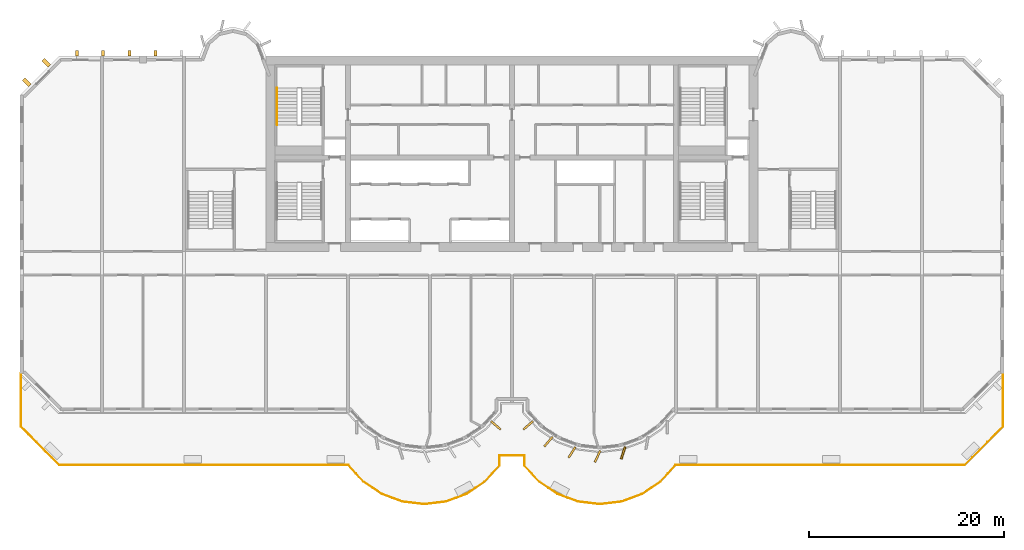
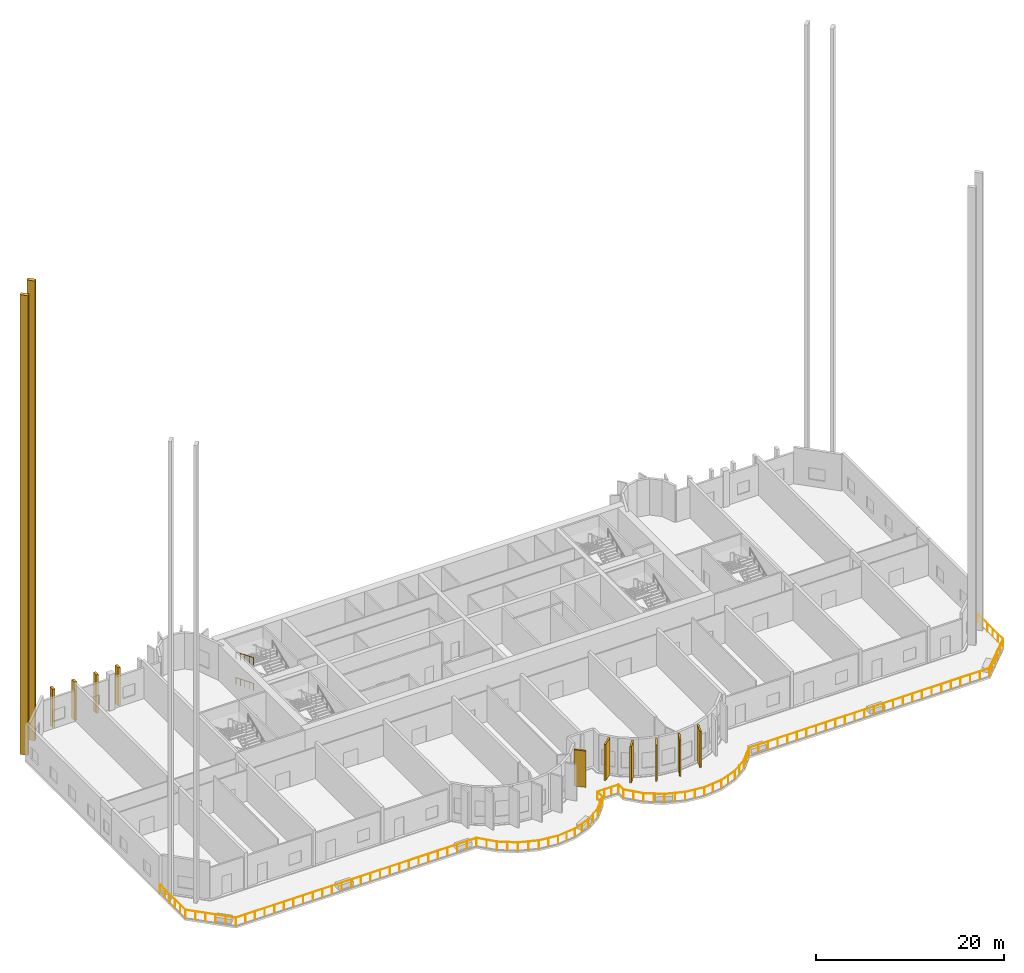
# One storey, part 11 of 13: 12 coverings, 3 railings.
"""IFC4 building model written with IfcOpenShell, lengths in metres."""

from ifc_helpers import new_model, si_unit, direction, frame, origin, origin_2d, place, context, subcontext, project, spatial, rectangle, circle, extrude, source, transform, mapped, material, material_profile, profile_set, type_object, element, save


model = new_model("IFC4")

# Units and contexts
model_context = context("Model", 3, precision=1e-05, world=origin(), true_north=direction((0.0, 1.0)))
body_context = subcontext(model_context, "Body", "Model", "MODEL_VIEW")
ifc_project = project(units=[si_unit("LENGTHUNIT", "METRE"), si_unit("AREAUNIT", "SQUARE_METRE"), si_unit("VOLUMEUNIT", "CUBIC_METRE"), si_unit("PLANEANGLEUNIT", "RADIAN"), si_unit("MASSUNIT", "GRAM", prefix="KILO")], contexts=[model_context])

# Site, building, storey
site_placement = place(None, origin())
site = spatial("IfcSite", under=ifc_project, at=site_placement, CompositionType="ELEMENT")
building_placement = place(site_placement, origin())
building = spatial("IfcBuilding", under=site, at=building_placement, Name="Vanashikhar Sky Hotel", CompositionType="ELEMENT")
storey_placement = place(building_placement, frame((0.0, 0.0, 86.39990234375)))
storey = spatial("IfcBuildingStorey", under=building, at=storey_placement, Name="L20", CompositionType="ELEMENT", Elevation=86.39990234375)

# Coverings
ifc_material_1 = material(Name="Concrete M60 dark", Category="concrete")
ifc_material_profile_1 = material_profile(ifc_material_1, rectangle(XDim=1.300048828125, YDim=0.199951171875, at=origin_2d()))
ifc_profile_set_1 = profile_set([ifc_material_profile_1], Name="Fin 1300 x 200")
covering_type_1 = type_object("IfcCoveringType", Name="Fin 1300 x 200", PredefinedType="CLADDING", material=ifc_profile_set_1)
shared_shape_1 = source(origin(), body_context, "Body", "SweptSolid", [
    extrude(rectangle(XDim=1.300048828125, YDim=0.199951171875, at=origin_2d()), origin(), (0.0, 0.0, 1.0), 4.72021484375),
])
for number, where, z_axis, x_axis, name in (
    (1, (48.7412109375, 4.1845703125, 0.0), (0.0, 0.0, 1.0), (0.758543912032, -0.65162192529, 0.0), "Fin F1-7"),
    (2, (52.058837890625, 4.1845703125, 0.0), (0.0, 0.0, 1.0), (-0.758543912032, -0.65162192529, 0.0), "Fin F2-1"),
    (3, (54.123779296875, 2.5, 0.0), (0.0, 0.0, 1.0), (-0.645697609467, -0.763593214433, 0.0), "Fin F2-2"),
    (4, (56.547119140625, 1.416015625, 0.0), (0.0, 0.0, 1.0), (-0.534411358496, -0.845224526331, 0.0), "Fin F2-3"),
    (5, (59.16748046875, 1.00146484375, 0.0), (0.0, 0.0, 1.0), (-0.422618261741, -0.906307787037, 0.0), "Fin F2-4"),
    (6, (61.790771484375, 1.35693359375, 0.0), (0.0, 0.0, 1.0), (-0.303966551867, -0.952682704444, 0.0), "Fin F2-5"),
):
    element("IfcCovering", number, at=place(storey_placement, frame(where, z_axis=z_axis, x_axis=x_axis)), inside=storey, type_object=covering_type_1, Name=name, PredefinedType="CLADDING", context=body_context, shape_type="MappedRepresentation", body=[
        mapped(shared_shape_1, transform((0.0, 0.0, 0.0), scale=1.0)),
    ])

# Railing
ifc_material_2 = material(Name="Stainless steel 316", Category="steel")
railing_type_1 = type_object("IfcRailingType", Name="Terrace guard 1100", PredefinedType="GUARDRAIL", material=ifc_material_2)
shared_shape_2 = source(origin(), body_context, "Body", "SweptSolid", [
    extrude(circle(Radius=0.02392578125, at=origin_2d()), frame((0.0, 0.0, 1.076171875), z_axis=(0.0, -1.0, 0.0), x_axis=(1.0, 0.0, 0.0)), (0.0, 0.0, 1.0), 5.4375),
    extrude(circle(Radius=0.02392578125, at=origin_2d()), frame((0.0, -5.4375, 1.076171875), z_axis=(-0.707106781187, -0.707106781187, 0.0), x_axis=(0.707106781187, -0.707106781187, 0.0)), (0.0, 0.0, 1.0), 5.572509765625),
    extrude(circle(Radius=0.02392578125, at=origin_2d()), frame((-3.9404296875, -9.3779296875, 1.076171875), z_axis=(-1.0, 0.0, 0.0), x_axis=(0.0, -1.0, 0.0)), (0.0, 0.0, 1.0), 29.6025390625),
    extrude(circle(Radius=0.02392578125, at=origin_2d()), frame((-33.54296875, -9.3779296875, 1.076171875), z_axis=(-0.675349951607, -0.737497418887, 0.0), x_axis=(0.737497418887, -0.675349951607, 0.0)), (0.0, 0.0, 1.0), 2.302001953125),
    extrude(circle(Radius=0.02392578125, at=origin_2d()), frame((-35.09765625, -11.07568359375, 1.076171875), z_axis=(-0.829618716872, -0.558330354375, 0.0), x_axis=(0.558330354375, -0.829618716872, 0.0)), (0.0, 0.0, 1.0), 2.2470703125),
    extrude(circle(Radius=0.02392578125, at=origin_2d()), frame((-36.9619140625, -12.330322265625, 1.076171875), z_axis=(-0.937481010221, -0.348036428374, 0.0), x_axis=(0.348036428374, -0.937481010221, 0.0)), (0.0, 0.0, 1.0), 2.24609375),
    extrude(circle(Radius=0.02392578125, at=origin_2d()), frame((-39.067626953125, -13.112060546875, 1.076171875), z_axis=(-0.993008915958, -0.118039369826, 0.0), x_axis=(0.118039369826, -0.993008915958, 0.0)), (0.0, 0.0, 1.0), 2.24609375),
    extrude(circle(Radius=0.02392578125, at=origin_2d()), frame((-41.298095703125, -13.377197265625, 1.076171875), z_axis=(-0.993007401277, 0.118052111416, 0.0), x_axis=(-0.118052111416, -0.993007401277, 0.0)), (0.0, 0.0, 1.0), 2.245849609375),
    extrude(circle(Radius=0.02392578125, at=origin_2d()), frame((-43.5283203125, -13.112060546875, 1.076171875), z_axis=(-0.937481010221, 0.348036428374, 0.0), x_axis=(-0.348036428374, -0.937481010221, 0.0)), (0.0, 0.0, 1.0), 2.24609375),
    extrude(circle(Radius=0.02392578125, at=origin_2d()), frame((-45.634033203125, -12.330322265625, 1.076171875), z_axis=(-0.829618716872, 0.558330354375, 0.0), x_axis=(-0.558330354375, -0.829618716872, 0.0)), (0.0, 0.0, 1.0), 2.2470703125),
    extrude(circle(Radius=0.02392578125, at=origin_2d()), frame((-47.498291015625, -11.07568359375, 1.076171875), z_axis=(-0.675380586616, 0.73746936426, 0.0), x_axis=(-0.73746936426, -0.675380586616, 0.0)), (0.0, 0.0, 1.0), 2.2177734375),
    extrude(circle(Radius=0.02392578125, at=origin_2d()), frame((-48.99609375, -9.440185546875, 1.076171875), z_axis=(0.0, 1.0, 0.0), x_axis=(-1.0, 0.0, 0.0)), (0.0, 0.0, 1.0), 1.062255859375),
    extrude(circle(Radius=0.02392578125, at=origin_2d()), frame((-48.99609375, -8.3779296875, 1.076171875), z_axis=(-1.0, 0.0, 0.0), x_axis=(0.0, -1.0, 0.0)), (0.0, 0.0, 1.0), 2.60400390625),
    extrude(circle(Radius=0.02392578125, at=origin_2d()), frame((-51.60009765625, -8.3779296875, 1.076171875), z_axis=(0.0, -1.0, 0.0), x_axis=(1.0, 0.0, 0.0)), (0.0, 0.0, 1.0), 1.062255859375),
    extrude(circle(Radius=0.02392578125, at=origin_2d()), frame((-51.60009765625, -9.440185546875, 1.076171875), z_axis=(-0.675320708185, -0.737524196957, 0.0), x_axis=(0.737524196957, -0.675320708185, 0.0)), (0.0, 0.0, 1.0), 2.217529296875),
    extrude(circle(Radius=0.02392578125, at=origin_2d()), frame((-53.09765625, -11.07568359375, 1.076171875), z_axis=(-0.829618716872, -0.558330354375, 0.0), x_axis=(0.558330354375, -0.829618716872, 0.0)), (0.0, 0.0, 1.0), 2.2470703125),
    extrude(circle(Radius=0.02392578125, at=origin_2d()), frame((-54.9619140625, -12.330322265625, 1.076171875), z_axis=(-0.937481010221, -0.348036428374, 0.0), x_axis=(0.348036428374, -0.937481010221, 0.0)), (0.0, 0.0, 1.0), 2.24609375),
    extrude(circle(Radius=0.02392578125, at=origin_2d()), frame((-57.067626953125, -13.112060546875, 1.076171875), z_axis=(-0.993008915958, -0.118039369826, 0.0), x_axis=(0.118039369826, -0.993008915958, 0.0)), (0.0, 0.0, 1.0), 2.24609375),
    extrude(circle(Radius=0.02392578125, at=origin_2d()), frame((-59.298095703125, -13.377197265625, 1.076171875), z_axis=(-0.993007401277, 0.118052111416, 0.0), x_axis=(-0.118052111416, -0.993007401277, 0.0)), (0.0, 0.0, 1.0), 2.245849609375),
    extrude(circle(Radius=0.02392578125, at=origin_2d()), frame((-61.5283203125, -13.112060546875, 1.076171875), z_axis=(-0.937481010221, 0.348036428374, 0.0), x_axis=(-0.348036428374, -0.937481010221, 0.0)), (0.0, 0.0, 1.0), 2.24609375),
    extrude(circle(Radius=0.02392578125, at=origin_2d()), frame((-63.634033203125, -12.330322265625, 1.076171875), z_axis=(-0.829618716872, 0.558330354375, 0.0), x_axis=(-0.558330354375, -0.829618716872, 0.0)), (0.0, 0.0, 1.0), 2.2470703125),
    extrude(circle(Radius=0.02392578125, at=origin_2d()), frame((-65.498291015625, -11.07568359375, 1.076171875), z_axis=(-0.675349951607, 0.737497418887, 0.0), x_axis=(-0.737497418887, -0.675349951607, 0.0)), (0.0, 0.0, 1.0), 2.302001953125),
    extrude(circle(Radius=0.02392578125, at=origin_2d()), frame((-67.052978515625, -9.3779296875, 1.076171875), z_axis=(-1.0, 0.0, 0.0), x_axis=(0.0, -1.0, 0.0)), (0.0, 0.0, 1.0), 29.6025390625),
    extrude(circle(Radius=0.02392578125, at=origin_2d()), frame((-96.655517578125, -9.3779296875, 1.076171875), z_axis=(-0.707106781187, 0.707106781187, 0.0), x_axis=(-0.707106781187, -0.707106781187, 0.0)), (0.0, 0.0, 1.0), 5.572509765625),
    extrude(circle(Radius=0.02392578125, at=origin_2d()), frame((-100.595947265625, -5.4375, 1.076171875), z_axis=(0.0, 1.0, 0.0), x_axis=(-1.0, 0.0, 0.0)), (0.0, 0.0, 1.0), 5.4375),
    extrude(circle(Radius=0.02099609375, at=origin_2d()), origin(), (0.0, 0.0, 1.0), 1.052001953125),
    extrude(circle(Radius=0.02099609375, at=origin_2d()), frame((0.0, -1.08740234375, 0.0)), (0.0, 0.0, 1.0), 1.052001953125),
    extrude(circle(Radius=0.02099609375, at=origin_2d()), frame((0.0, -2.175048828125, 0.0)), (0.0, 0.0, 1.0), 1.052001953125),
    extrude(circle(Radius=0.02099609375, at=origin_2d()), frame((0.0, -3.262451171875, 0.0)), (0.0, 0.0, 1.0), 1.052001953125),
    extrude(circle(Radius=0.02099609375, at=origin_2d()), frame((0.0, -4.35009765625, 0.0)), (0.0, 0.0, 1.0), 1.052001953125),
    extrude(circle(Radius=0.02099609375, at=origin_2d()), frame((0.0, -5.4375, 0.0)), (0.0, 0.0, 1.0), 1.052001953125),
    extrude(circle(Radius=0.02099609375, at=origin_2d()), frame((-0.7880859375, -6.2255859375, 0.0)), (0.0, 0.0, 1.0), 1.052001953125),
    extrude(circle(Radius=0.02099609375, at=origin_2d()), frame((-1.576171875, -7.013671875, 0.0)), (0.0, 0.0, 1.0), 1.052001953125),
    extrude(circle(Radius=0.02099609375, at=origin_2d()), frame((-2.3642578125, -7.8017578125, 0.0)), (0.0, 0.0, 1.0), 1.052001953125),
    extrude(circle(Radius=0.02099609375, at=origin_2d()), frame((-3.15234375, -8.58984375, 0.0)), (0.0, 0.0, 1.0), 1.052001953125),
    extrude(circle(Radius=0.02099609375, at=origin_2d()), frame((-3.9404296875, -9.3779296875, 0.0)), (0.0, 0.0, 1.0), 1.052001953125),
    extrude(circle(Radius=0.02099609375, at=origin_2d()), frame((-5.12451171875, -9.3779296875, 0.0)), (0.0, 0.0, 1.0), 1.052001953125),
    extrude(circle(Radius=0.02099609375, at=origin_2d()), frame((-6.30859375, -9.3779296875, 0.0)), (0.0, 0.0, 1.0), 1.052001953125),
    extrude(circle(Radius=0.02099609375, at=origin_2d()), frame((-7.49267578125, -9.3779296875, 0.0)), (0.0, 0.0, 1.0), 1.052001953125),
    extrude(circle(Radius=0.02099609375, at=origin_2d()), frame((-8.6767578125, -9.3779296875, 0.0)), (0.0, 0.0, 1.0), 1.052001953125),
    extrude(circle(Radius=0.02099609375, at=origin_2d()), frame((-9.86083984375, -9.3779296875, 0.0)), (0.0, 0.0, 1.0), 1.052001953125),
    extrude(circle(Radius=0.02099609375, at=origin_2d()), frame((-11.044921875, -9.3779296875, 0.0)), (0.0, 0.0, 1.0), 1.052001953125),
    extrude(circle(Radius=0.02099609375, at=origin_2d()), frame((-12.229248046875, -9.3779296875, 0.0)), (0.0, 0.0, 1.0), 1.052001953125),
    extrude(circle(Radius=0.02099609375, at=origin_2d()), frame((-13.413330078125, -9.3779296875, 0.0)), (0.0, 0.0, 1.0), 1.052001953125),
    extrude(circle(Radius=0.02099609375, at=origin_2d()), frame((-14.597412109375, -9.3779296875, 0.0)), (0.0, 0.0, 1.0), 1.052001953125),
    extrude(circle(Radius=0.02099609375, at=origin_2d()), frame((-15.781494140625, -9.3779296875, 0.0)), (0.0, 0.0, 1.0), 1.052001953125),
    extrude(circle(Radius=0.02099609375, at=origin_2d()), frame((-16.965576171875, -9.3779296875, 0.0)), (0.0, 0.0, 1.0), 1.052001953125),
    extrude(circle(Radius=0.02099609375, at=origin_2d()), frame((-18.149658203125, -9.3779296875, 0.0)), (0.0, 0.0, 1.0), 1.052001953125),
    extrude(circle(Radius=0.02099609375, at=origin_2d()), frame((-19.333740234375, -9.3779296875, 0.0)), (0.0, 0.0, 1.0), 1.052001953125),
    extrude(circle(Radius=0.02099609375, at=origin_2d()), frame((-20.517822265625, -9.3779296875, 0.0)), (0.0, 0.0, 1.0), 1.052001953125),
    extrude(circle(Radius=0.02099609375, at=origin_2d()), frame((-21.701904296875, -9.3779296875, 0.0)), (0.0, 0.0, 1.0), 1.052001953125),
    extrude(circle(Radius=0.02099609375, at=origin_2d()), frame((-22.885986328125, -9.3779296875, 0.0)), (0.0, 0.0, 1.0), 1.052001953125),
    extrude(circle(Radius=0.02099609375, at=origin_2d()), frame((-24.070068359375, -9.3779296875, 0.0)), (0.0, 0.0, 1.0), 1.052001953125),
    extrude(circle(Radius=0.02099609375, at=origin_2d()), frame((-25.254150390625, -9.3779296875, 0.0)), (0.0, 0.0, 1.0), 1.052001953125),
    extrude(circle(Radius=0.02099609375, at=origin_2d()), frame((-26.4384765625, -9.3779296875, 0.0)), (0.0, 0.0, 1.0), 1.052001953125),
    extrude(circle(Radius=0.02099609375, at=origin_2d()), frame((-27.62255859375, -9.3779296875, 0.0)), (0.0, 0.0, 1.0), 1.052001953125),
    extrude(circle(Radius=0.02099609375, at=origin_2d()), frame((-28.806640625, -9.3779296875, 0.0)), (0.0, 0.0, 1.0), 1.052001953125),
    extrude(circle(Radius=0.02099609375, at=origin_2d()), frame((-29.99072265625, -9.3779296875, 0.0)), (0.0, 0.0, 1.0), 1.052001953125),
    extrude(circle(Radius=0.02099609375, at=origin_2d()), frame((-31.1748046875, -9.3779296875, 0.0)), (0.0, 0.0, 1.0), 1.052001953125),
    extrude(circle(Radius=0.02099609375, at=origin_2d()), frame((-32.35888671875, -9.3779296875, 0.0)), (0.0, 0.0, 1.0), 1.052001953125),
    extrude(circle(Radius=0.02099609375, at=origin_2d()), frame((-33.54296875, -9.3779296875, 0.0)), (0.0, 0.0, 1.0), 1.052001953125),
    extrude(circle(Radius=0.02099609375, at=origin_2d()), frame((-34.3203125, -10.226806640625, 0.0)), (0.0, 0.0, 1.0), 1.052001953125),
    extrude(circle(Radius=0.02099609375, at=origin_2d()), frame((-35.09765625, -11.07568359375, 0.0)), (0.0, 0.0, 1.0), 1.052001953125),
    extrude(circle(Radius=0.02099609375, at=origin_2d()), frame((-36.02978515625, -11.703125, 0.0)), (0.0, 0.0, 1.0), 1.052001953125),
    extrude(circle(Radius=0.02099609375, at=origin_2d()), frame((-36.9619140625, -12.330322265625, 0.0)), (0.0, 0.0, 1.0), 1.052001953125),
    extrude(circle(Radius=0.02099609375, at=origin_2d()), frame((-38.0146484375, -12.72119140625, 0.0)), (0.0, 0.0, 1.0), 1.052001953125),
    extrude(circle(Radius=0.02099609375, at=origin_2d()), frame((-39.067626953125, -13.112060546875, 0.0)), (0.0, 0.0, 1.0), 1.052001953125),
    extrude(circle(Radius=0.02099609375, at=origin_2d()), frame((-40.182861328125, -13.24462890625, 0.0)), (0.0, 0.0, 1.0), 1.052001953125),
    extrude(circle(Radius=0.02099609375, at=origin_2d()), frame((-41.298095703125, -13.377197265625, 0.0)), (0.0, 0.0, 1.0), 1.052001953125),
    extrude(circle(Radius=0.02099609375, at=origin_2d()), frame((-42.4130859375, -13.24462890625, 0.0)), (0.0, 0.0, 1.0), 1.052001953125),
    extrude(circle(Radius=0.02099609375, at=origin_2d()), frame((-43.5283203125, -13.112060546875, 0.0)), (0.0, 0.0, 1.0), 1.052001953125),
    extrude(circle(Radius=0.02099609375, at=origin_2d()), frame((-44.5810546875, -12.72119140625, 0.0)), (0.0, 0.0, 1.0), 1.052001953125),
    extrude(circle(Radius=0.02099609375, at=origin_2d()), frame((-45.634033203125, -12.330322265625, 0.0)), (0.0, 0.0, 1.0), 1.052001953125),
    extrude(circle(Radius=0.02099609375, at=origin_2d()), frame((-46.566162109375, -11.703125, 0.0)), (0.0, 0.0, 1.0), 1.052001953125),
    extrude(circle(Radius=0.02099609375, at=origin_2d()), frame((-47.498291015625, -11.07568359375, 0.0)), (0.0, 0.0, 1.0), 1.052001953125),
    extrude(circle(Radius=0.02099609375, at=origin_2d()), frame((-48.2470703125, -10.2578125, 0.0)), (0.0, 0.0, 1.0), 1.052001953125),
    extrude(circle(Radius=0.02099609375, at=origin_2d()), frame((-48.99609375, -9.440185546875, 0.0)), (0.0, 0.0, 1.0), 1.052001953125),
    extrude(circle(Radius=0.02099609375, at=origin_2d()), frame((-48.99609375, -8.3779296875, 0.0)), (0.0, 0.0, 1.0), 1.052001953125),
    extrude(circle(Radius=0.02099609375, at=origin_2d()), frame((-49.864013671875, -8.3779296875, 0.0)), (0.0, 0.0, 1.0), 1.052001953125),
    extrude(circle(Radius=0.02099609375, at=origin_2d()), frame((-50.732177734375, -8.3779296875, 0.0)), (0.0, 0.0, 1.0), 1.052001953125),
    extrude(circle(Radius=0.02099609375, at=origin_2d()), frame((-51.60009765625, -8.3779296875, 0.0)), (0.0, 0.0, 1.0), 1.052001953125),
    extrude(circle(Radius=0.02099609375, at=origin_2d()), frame((-51.60009765625, -9.440185546875, 0.0)), (0.0, 0.0, 1.0), 1.052001953125),
    extrude(circle(Radius=0.02099609375, at=origin_2d()), frame((-52.348876953125, -10.2578125, 0.0)), (0.0, 0.0, 1.0), 1.052001953125),
    extrude(circle(Radius=0.02099609375, at=origin_2d()), frame((-53.09765625, -11.07568359375, 0.0)), (0.0, 0.0, 1.0), 1.052001953125),
    extrude(circle(Radius=0.02099609375, at=origin_2d()), frame((-54.02978515625, -11.703125, 0.0)), (0.0, 0.0, 1.0), 1.052001953125),
    extrude(circle(Radius=0.02099609375, at=origin_2d()), frame((-54.9619140625, -12.330322265625, 0.0)), (0.0, 0.0, 1.0), 1.052001953125),
    extrude(circle(Radius=0.02099609375, at=origin_2d()), frame((-56.0146484375, -12.72119140625, 0.0)), (0.0, 0.0, 1.0), 1.052001953125),
    extrude(circle(Radius=0.02099609375, at=origin_2d()), frame((-57.067626953125, -13.112060546875, 0.0)), (0.0, 0.0, 1.0), 1.052001953125),
    extrude(circle(Radius=0.02099609375, at=origin_2d()), frame((-58.182861328125, -13.24462890625, 0.0)), (0.0, 0.0, 1.0), 1.052001953125),
    extrude(circle(Radius=0.02099609375, at=origin_2d()), frame((-59.298095703125, -13.377197265625, 0.0)), (0.0, 0.0, 1.0), 1.052001953125),
    extrude(circle(Radius=0.02099609375, at=origin_2d()), frame((-60.4130859375, -13.24462890625, 0.0)), (0.0, 0.0, 1.0), 1.052001953125),
    extrude(circle(Radius=0.02099609375, at=origin_2d()), frame((-61.5283203125, -13.112060546875, 0.0)), (0.0, 0.0, 1.0), 1.052001953125),
    extrude(circle(Radius=0.02099609375, at=origin_2d()), frame((-62.5810546875, -12.72119140625, 0.0)), (0.0, 0.0, 1.0), 1.052001953125),
    extrude(circle(Radius=0.02099609375, at=origin_2d()), frame((-63.634033203125, -12.330322265625, 0.0)), (0.0, 0.0, 1.0), 1.052001953125),
    extrude(circle(Radius=0.02099609375, at=origin_2d()), frame((-64.566162109375, -11.703125, 0.0)), (0.0, 0.0, 1.0), 1.052001953125),
    extrude(circle(Radius=0.02099609375, at=origin_2d()), frame((-65.498291015625, -11.07568359375, 0.0)), (0.0, 0.0, 1.0), 1.052001953125),
    extrude(circle(Radius=0.02099609375, at=origin_2d()), frame((-66.275634765625, -10.226806640625, 0.0)), (0.0, 0.0, 1.0), 1.052001953125),
    extrude(circle(Radius=0.02099609375, at=origin_2d()), frame((-67.052978515625, -9.3779296875, 0.0)), (0.0, 0.0, 1.0), 1.052001953125),
    extrude(circle(Radius=0.02099609375, at=origin_2d()), frame((-68.237060546875, -9.3779296875, 0.0)), (0.0, 0.0, 1.0), 1.052001953125),
    extrude(circle(Radius=0.02099609375, at=origin_2d()), frame((-69.421142578125, -9.3779296875, 0.0)), (0.0, 0.0, 1.0), 1.052001953125),
    extrude(circle(Radius=0.02099609375, at=origin_2d()), frame((-70.605224609375, -9.3779296875, 0.0)), (0.0, 0.0, 1.0), 1.052001953125),
    extrude(circle(Radius=0.02099609375, at=origin_2d()), frame((-71.789306640625, -9.3779296875, 0.0)), (0.0, 0.0, 1.0), 1.052001953125),
    extrude(circle(Radius=0.02099609375, at=origin_2d()), frame((-72.973388671875, -9.3779296875, 0.0)), (0.0, 0.0, 1.0), 1.052001953125),
    extrude(circle(Radius=0.02099609375, at=origin_2d()), frame((-74.157470703125, -9.3779296875, 0.0)), (0.0, 0.0, 1.0), 1.052001953125),
    extrude(circle(Radius=0.02099609375, at=origin_2d()), frame((-75.341796875, -9.3779296875, 0.0)), (0.0, 0.0, 1.0), 1.052001953125),
    extrude(circle(Radius=0.02099609375, at=origin_2d()), frame((-76.52587890625, -9.3779296875, 0.0)), (0.0, 0.0, 1.0), 1.052001953125),
    extrude(circle(Radius=0.02099609375, at=origin_2d()), frame((-77.7099609375, -9.3779296875, 0.0)), (0.0, 0.0, 1.0), 1.052001953125),
    extrude(circle(Radius=0.02099609375, at=origin_2d()), frame((-78.89404296875, -9.3779296875, 0.0)), (0.0, 0.0, 1.0), 1.052001953125),
    extrude(circle(Radius=0.02099609375, at=origin_2d()), frame((-80.078125, -9.3779296875, 0.0)), (0.0, 0.0, 1.0), 1.052001953125),
    extrude(circle(Radius=0.02099609375, at=origin_2d()), frame((-81.26220703125, -9.3779296875, 0.0)), (0.0, 0.0, 1.0), 1.052001953125),
    extrude(circle(Radius=0.02099609375, at=origin_2d()), frame((-82.4462890625, -9.3779296875, 0.0)), (0.0, 0.0, 1.0), 1.052001953125),
    extrude(circle(Radius=0.02099609375, at=origin_2d()), frame((-83.63037109375, -9.3779296875, 0.0)), (0.0, 0.0, 1.0), 1.052001953125),
    extrude(circle(Radius=0.02099609375, at=origin_2d()), frame((-84.814453125, -9.3779296875, 0.0)), (0.0, 0.0, 1.0), 1.052001953125),
    extrude(circle(Radius=0.02099609375, at=origin_2d()), frame((-85.99853515625, -9.3779296875, 0.0)), (0.0, 0.0, 1.0), 1.052001953125),
    extrude(circle(Radius=0.02099609375, at=origin_2d()), frame((-87.1826171875, -9.3779296875, 0.0)), (0.0, 0.0, 1.0), 1.052001953125),
    extrude(circle(Radius=0.02099609375, at=origin_2d()), frame((-88.36669921875, -9.3779296875, 0.0)), (0.0, 0.0, 1.0), 1.052001953125),
    extrude(circle(Radius=0.02099609375, at=origin_2d()), frame((-89.551025390625, -9.3779296875, 0.0)), (0.0, 0.0, 1.0), 1.052001953125),
    extrude(circle(Radius=0.02099609375, at=origin_2d()), frame((-90.735107421875, -9.3779296875, 0.0)), (0.0, 0.0, 1.0), 1.052001953125),
    extrude(circle(Radius=0.02099609375, at=origin_2d()), frame((-91.919189453125, -9.3779296875, 0.0)), (0.0, 0.0, 1.0), 1.052001953125),
    extrude(circle(Radius=0.02099609375, at=origin_2d()), frame((-93.103271484375, -9.3779296875, 0.0)), (0.0, 0.0, 1.0), 1.052001953125),
    extrude(circle(Radius=0.02099609375, at=origin_2d()), frame((-94.287353515625, -9.3779296875, 0.0)), (0.0, 0.0, 1.0), 1.052001953125),
    extrude(circle(Radius=0.02099609375, at=origin_2d()), frame((-95.471435546875, -9.3779296875, 0.0)), (0.0, 0.0, 1.0), 1.052001953125),
    extrude(circle(Radius=0.02099609375, at=origin_2d()), frame((-96.655517578125, -9.3779296875, 0.0)), (0.0, 0.0, 1.0), 1.052001953125),
    extrude(circle(Radius=0.02099609375, at=origin_2d()), frame((-97.443603515625, -8.58984375, 0.0)), (0.0, 0.0, 1.0), 1.052001953125),
    extrude(circle(Radius=0.02099609375, at=origin_2d()), frame((-98.231689453125, -7.8017578125, 0.0)), (0.0, 0.0, 1.0), 1.052001953125),
    extrude(circle(Radius=0.02099609375, at=origin_2d()), frame((-99.019775390625, -7.013671875, 0.0)), (0.0, 0.0, 1.0), 1.052001953125),
    extrude(circle(Radius=0.02099609375, at=origin_2d()), frame((-99.807861328125, -6.2255859375, 0.0)), (0.0, 0.0, 1.0), 1.052001953125),
    extrude(circle(Radius=0.02099609375, at=origin_2d()), frame((-100.595947265625, -5.4375, 0.0)), (0.0, 0.0, 1.0), 1.052001953125),
    extrude(circle(Radius=0.02099609375, at=origin_2d()), frame((-100.595947265625, -4.35009765625, 0.0)), (0.0, 0.0, 1.0), 1.052001953125),
    extrude(circle(Radius=0.02099609375, at=origin_2d()), frame((-100.595947265625, -3.262451171875, 0.0)), (0.0, 0.0, 1.0), 1.052001953125),
    extrude(circle(Radius=0.02099609375, at=origin_2d()), frame((-100.595947265625, -2.175048828125, 0.0)), (0.0, 0.0, 1.0), 1.052001953125),
    extrude(circle(Radius=0.02099609375, at=origin_2d()), frame((-100.595947265625, -1.08740234375, 0.0)), (0.0, 0.0, 1.0), 1.052001953125),
    extrude(circle(Radius=0.02099609375, at=origin_2d()), frame((-100.595947265625, 0.0, 0.0)), (0.0, 0.0, 1.0), 1.052001953125),
])
railing_1_placement = place(storey_placement, frame((100.697998046875, 9.47998046875, -0.0498046875)))
element("IfcRailing", 7, at=railing_1_placement, inside=storey, type_object=railing_type_1, Name="Terrace guard", PredefinedType="GUARDRAIL", context=body_context, shape_type="MappedRepresentation", body=[
    mapped(shared_shape_2, transform((0.0, 0.0, 0.0), scale=1.0)),
])

# Coverings
ifc_material_profile_2 = material_profile(ifc_material_1, rectangle(XDim=0.60009765625, YDim=0.300048828125, at=origin_2d()))
ifc_profile_set_2 = profile_set([ifc_material_profile_2], Name="Rear rib 600 x 300")
covering_type_2 = type_object("IfcCoveringType", Name="Rear rib 600 x 300", PredefinedType="CLADDING", material=ifc_profile_set_2)
shared_shape_3 = source(origin(), body_context, "Body", "SweptSolid", [
    extrude(rectangle(XDim=0.60009765625, YDim=0.300048828125, at=origin_2d()), origin(), (0.0, 0.0, 1.0), 5.0),
])
for number, where, z_axis, x_axis, name in (
    (8, (5.840087890625, 42.300048828125, -0.27978515625), (0.0, 0.0, 1.0), (0.0, 1.0, 0.0), "Rear rib"),
    (9, (8.52001953125, 42.300048828125, -0.27978515625), (0.0, 0.0, 1.0), (0.0, 1.0, 0.0), "Rear rib"),
    (10, (11.199951171875, 42.300048828125, -0.27978515625), (0.0, 0.0, 1.0), (0.0, 1.0, 0.0), "Rear rib"),
    (11, (13.8798828125, 42.300048828125, -0.27978515625), (0.0, 0.0, 1.0), (0.0, 1.0, 0.0), "Rear rib"),
):
    element("IfcCovering", number, at=place(storey_placement, frame(where, z_axis=z_axis, x_axis=x_axis)), inside=storey, type_object=covering_type_2, Name=name, PredefinedType="CLADDING", context=body_context, shape_type="MappedRepresentation", body=[
        mapped(shared_shape_3, transform((0.0, 0.0, 0.0), scale=1.0)),
    ])
ifc_material_profile_3 = material_profile(ifc_material_1, rectangle(XDim=0.89990234375, YDim=0.39990234375, at=origin_2d()))
ifc_profile_set_3 = profile_set([ifc_material_profile_3], Name="Chamfer fin 900 x 400")
covering_type_3 = type_object("IfcCoveringType", Name="Chamfer fin 900 x 400", PredefinedType="CLADDING", material=ifc_profile_set_3)
shared_shape_4 = source(origin(), body_context, "Body", "SweptSolid", [
    extrude(rectangle(XDim=0.89990234375, YDim=0.39990234375, at=origin_2d()), origin(), (0.0, 0.0, 1.0), 59.7998046875),
])
for number, where, z_axis, x_axis, name in (
    (12, (2.681884765625, 41.318115234375, -0.27978515625), (0.0, 0.0, 1.0), (-0.707106781187, 0.707106781187, 0.0), "Chamfer fin"),
    (13, (0.681884765625, 39.318115234375, -0.27978515625), (0.0, 0.0, 1.0), (-0.707106781187, 0.707106781187, 0.0), "Chamfer fin"),
):
    element("IfcCovering", number, at=place(storey_placement, frame(where, z_axis=z_axis, x_axis=x_axis)), inside=storey, type_object=covering_type_3, Name=name, PredefinedType="CLADDING", context=body_context, shape_type="MappedRepresentation", body=[
        mapped(shared_shape_4, transform((0.0, 0.0, 0.0), scale=1.0)),
    ])

# Railings
ifc_material_3 = material(Name="Steel S355", Category="steel")
railing_type_2 = type_object("IfcRailingType", Name="Stair handrail 900", PredefinedType="HANDRAIL", material=ifc_material_3)
shared_shape_5 = source(origin(), body_context, "Body", "SweptSolid", [
    extrude(circle(Radius=0.02392578125, at=origin_2d()), frame((0.0, 0.0, 0.8759765625), z_axis=(0.0, -0.927838108096, 0.372983170084), x_axis=(1.0, 0.0, 0.0)), (0.0, 0.0, 1.0), 4.095703125),
    extrude(circle(Radius=0.02099609375, at=origin_2d()), origin(), (0.0, 0.0, 1.0), 0.851806640625),
    extrude(circle(Radius=0.02099609375, at=origin_2d()), frame((0.0, -0.949951171875, 0.3818359375)), (0.0, 0.0, 1.0), 0.851806640625),
    extrude(circle(Radius=0.02099609375, at=origin_2d()), frame((0.0, -1.89990234375, 0.763671875)), (0.0, 0.0, 1.0), 0.851806640625),
    extrude(circle(Radius=0.02099609375, at=origin_2d()), frame((0.0, -2.85009765625, 1.145751953125)), (0.0, 0.0, 1.0), 0.851806640625),
    extrude(circle(Radius=0.02099609375, at=origin_2d()), frame((0.0, -3.800048828125, 1.527587890625)), (0.0, 0.0, 1.0), 0.851806640625),
])
railing_2_placement = place(storey_placement, frame((26.35009765625, 38.75, 3.472412109375)))
element("IfcRailing", 14, at=railing_2_placement, inside=storey, type_object=railing_type_2, Name="Exit stair 5 handrail", PredefinedType="HANDRAIL", context=body_context, shape_type="MappedRepresentation", body=[
    mapped(shared_shape_5, transform((0.0, 0.0, 0.0), scale=1.0)),
])
shared_shape_6 = source(origin(), body_context, "Body", "SweptSolid", [
    extrude(circle(Radius=0.02392578125, at=origin_2d()), frame((0.0, 0.0, 0.8759765625), z_axis=(0.0, -0.927817477834, 0.373034486109), x_axis=(1.0, 0.0, 0.0)), (0.0, 0.0, 1.0), 4.095703125),
    extrude(circle(Radius=0.02099609375, at=origin_2d()), origin(), (0.0, 0.0, 1.0), 0.851806640625),
    extrude(circle(Radius=0.02099609375, at=origin_2d()), frame((0.0, -0.949951171875, 0.3818359375)), (0.0, 0.0, 1.0), 0.851806640625),
    extrude(circle(Radius=0.02099609375, at=origin_2d()), frame((0.0, -1.89990234375, 0.763916015625)), (0.0, 0.0, 1.0), 0.851806640625),
    extrude(circle(Radius=0.02099609375, at=origin_2d()), frame((0.0, -2.85009765625, 1.14599609375)), (0.0, 0.0, 1.0), 0.851806640625),
    extrude(circle(Radius=0.02099609375, at=origin_2d()), frame((0.0, -3.800048828125, 1.52783203125)), (0.0, 0.0, 1.0), 0.851806640625),
])
railing_3_placement = place(storey_placement, frame((26.35009765625, 38.75, 0.138916015625)))
element("IfcRailing", 15, at=railing_3_placement, inside=storey, type_object=railing_type_2, Name="Exit stair 5 handrail", PredefinedType="HANDRAIL", context=body_context, shape_type="MappedRepresentation", body=[
    mapped(shared_shape_6, transform((0.0, 0.0, 0.0), scale=1.0)),
])

save(model, "model.ifc")
